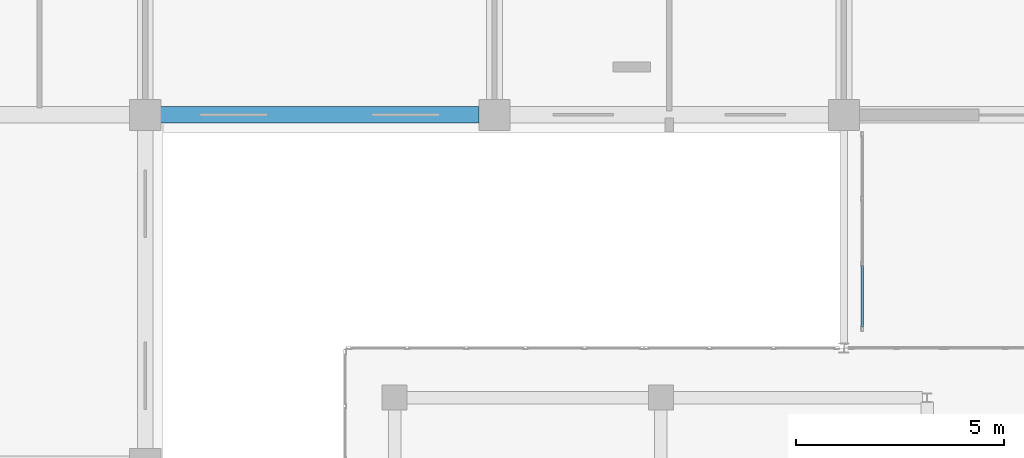
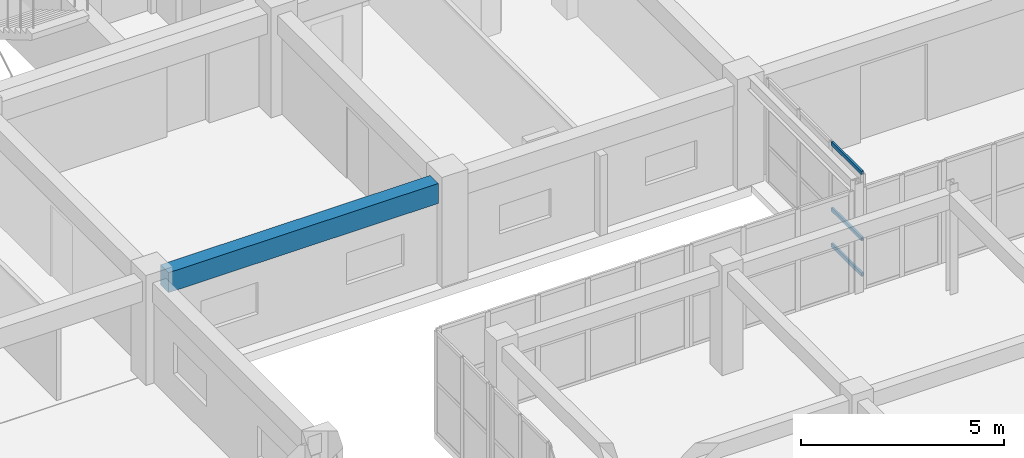
# One storey, part 87 of 200: 3 members, 1 beam, 1 element without a shape of its own.
"""IFC4 building model written with IfcOpenShell, lengths in metres."""

from ifc_helpers import new_model, si_unit, direction, frame, origin, origin_2d, place, context, subcontext, project, spatial, rectangle, hollow_rectangle, extrude, material, layer, layer_set, material_profile, profile_set, type_object, element, aggregate, save


model = new_model("IFC4")

# Units and contexts
model_context = context("Model", 3, precision=1e-05, world=origin(), true_north=direction((0.0, 1.0)))
body_context = subcontext(model_context, "Body", "Model", "MODEL_VIEW")
ifc_project = project(units=[si_unit("LENGTHUNIT", "METRE"), si_unit("AREAUNIT", "SQUARE_METRE"), si_unit("VOLUMEUNIT", "CUBIC_METRE"), si_unit("PLANEANGLEUNIT", "RADIAN"), si_unit("MASSUNIT", "GRAM", prefix="KILO")], contexts=[model_context])

# Site, building, storey
site_placement = place(None, origin())
site = spatial("IfcSite", under=ifc_project, at=site_placement, CompositionType="ELEMENT")
building_placement = place(site_placement, origin())
building = spatial("IfcBuilding", under=site, at=building_placement, Name="Trelvath General Hospital", CompositionType="ELEMENT")
storey_placement = place(building_placement, frame((0.0, 0.0, 4.800048828125)))
storey = spatial("IfcBuildingStorey", under=building, at=storey_placement, Name="L01", CompositionType="ELEMENT", Elevation=4.800048828125)

# Beam
ifc_material_1 = material(Name="Concrete C35/45", Category="concrete")
ifc_material_profile_1 = material_profile(ifc_material_1, rectangle(XDim=0.39990234375, YDim=0.60009765625, at=origin_2d()), Name="RCB400x600")
ifc_profile_set_1 = profile_set([ifc_material_profile_1], Name="Concrete C35/45")
beam_type = type_object("IfcBeamType", Name="Beam RC400x600", PredefinedType="BEAM", material=ifc_profile_set_1)
beam_placement = place(storey_placement, frame((42.3701171875, 92.39990234375, 2.719970703125), z_axis=(1.0, 0.0, 0.0), x_axis=(0.0, 1.0, 0.0)))
element("IfcBeam", 1, at=beam_placement, inside=storey, type_object=beam_type, Name="Grid Beam BX-105L", PredefinedType="BEAM", context=body_context, shape_type="SweptSolid", body=[
    extrude(rectangle(XDim=0.39990234375, YDim=0.60009765625, at=origin_2d()), origin(), (0.0, 0.0, 1.0), 7.659912109375),
])

# Curtain wall, members
ifc_material_2 = material(Name="Anodised aluminium and low-E glass", Category="aluminium")
ifc_layer = layer(ifc_material_2, 0.139892578125)
ifc_layer_set = layer_set([ifc_layer], Name="Anodised aluminium and low-E glass")
curtain_wall_type = type_object("IfcCurtainWallType", Name="CW Bridge 472 311", PredefinedType="USERDEFINED", material=ifc_layer_set)
curtain_wall_placement = place(storey_placement, origin())
curtain_wall = element("IfcCurtainWall", 2, at=curtain_wall_placement, inside=storey, type_object=curtain_wall_type, Name="Glazed Bridge Curtain Wall BRG-N-W W L01", ObjectType="Unitised Glazed Curtain Wall", PredefinedType="USERDEFINED")
ifc_material_3 = material(Name="Anodised aluminium", Category="aluminium")
ifc_material_profile_2 = material_profile(ifc_material_3, hollow_rectangle(XDim=0.06005859375, YDim=0.110107421875, WallThickness=0.00390625, at=origin_2d()), Name="RHS60x110x4")
ifc_profile_set_2 = profile_set([ifc_material_profile_2], Name="Anodised aluminium")
member_type = type_object("IfcMemberType", Name="CurtainTransom 60x110", PredefinedType="USERDEFINED", material=ifc_profile_set_2)
member_1_placement = place(storey_placement, frame((59.239990234375, 87.300048828125, 0.030029296875), z_axis=(0.0, 1.0, 0.0), x_axis=(-1.0, 0.0, 0.0)))
member_1 = element("IfcMember", 3, at=member_1_placement, type_object=member_type, Name="CW-182 transom 1.1", ObjectType="TRANSOM", PredefinedType="USERDEFINED", context=body_context, shape_type="SweptSolid", body=[
    extrude(hollow_rectangle(XDim=0.06005859375, YDim=0.110107421875, WallThickness=0.00390625, at=origin_2d()), origin(), (0.0, 0.0, 1.0), 1.4833984375),
])
member_2_placement = place(storey_placement, frame((59.239990234375, 87.300048828125, 1.099853515625), z_axis=(0.0, 1.0, 0.0), x_axis=(-1.0, 0.0, 0.0)))
member_2 = element("IfcMember", 4, at=member_2_placement, type_object=member_type, Name="CW-182 transom 1.2", ObjectType="TRANSOM", PredefinedType="USERDEFINED", context=body_context, shape_type="SweptSolid", body=[
    extrude(hollow_rectangle(XDim=0.06005859375, YDim=0.110107421875, WallThickness=0.00390625, at=origin_2d()), origin(), (0.0, 0.0, 1.0), 1.4833984375),
])
member_3_placement = place(storey_placement, frame((59.239990234375, 87.300048828125, 3.079833984375), z_axis=(0.0, 1.0, 0.0), x_axis=(-1.0, 0.0, 0.0)))
member_3 = element("IfcMember", 5, at=member_3_placement, type_object=member_type, Name="CW-182 transom 1.3", ObjectType="TRANSOM", PredefinedType="USERDEFINED", context=body_context, shape_type="SweptSolid", body=[
    extrude(hollow_rectangle(XDim=0.06005859375, YDim=0.110107421875, WallThickness=0.00390625, at=origin_2d()), origin(), (0.0, 0.0, 1.0), 1.4833984375),
])
aggregate(curtain_wall, [member_1, member_2, member_3])

save(model, "model.ifc")
